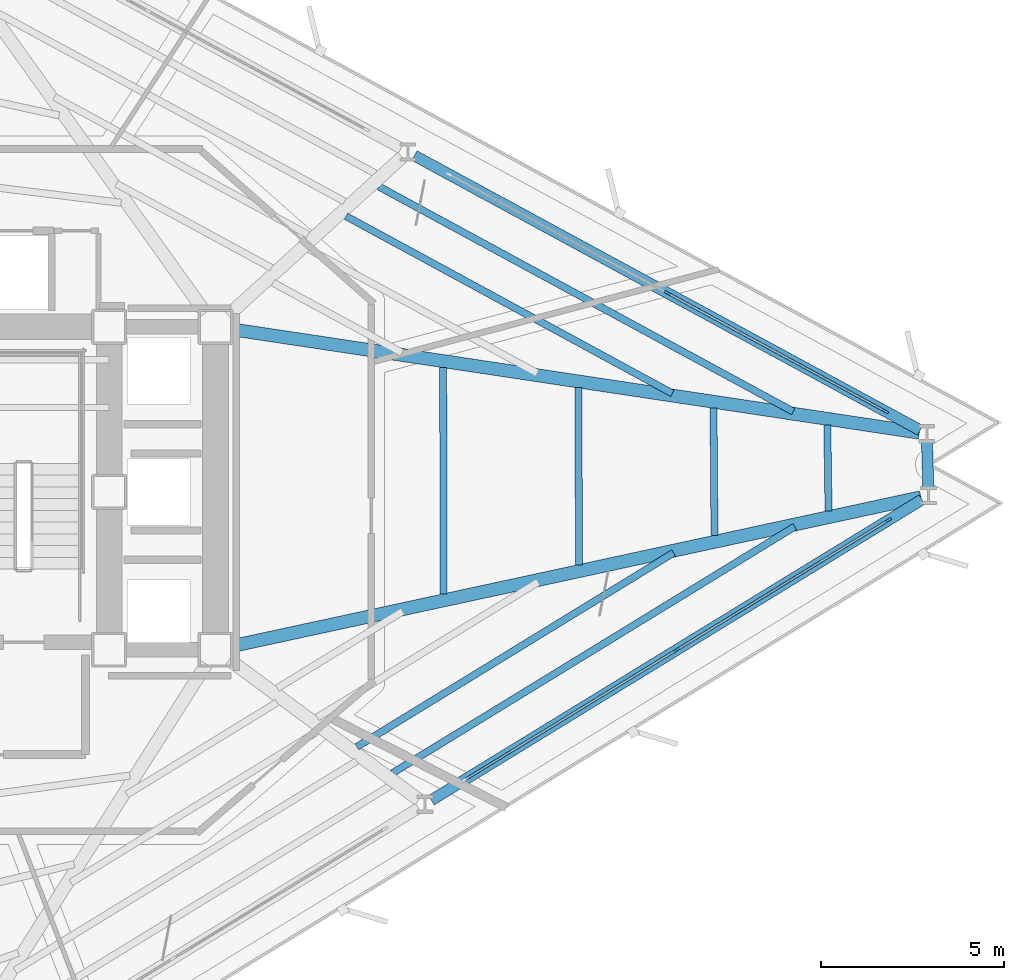
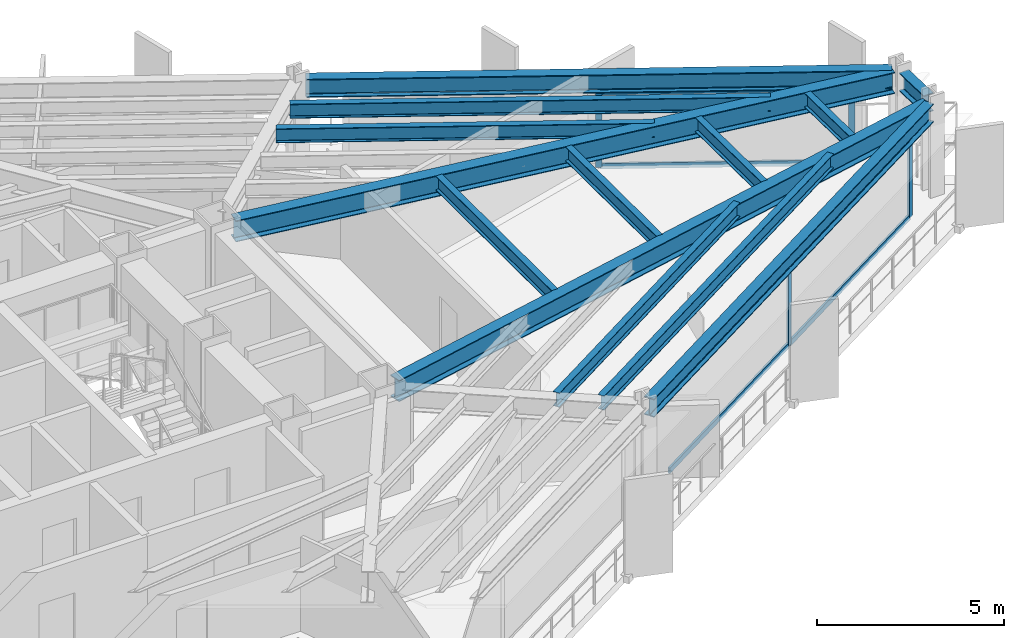
# One storey, part 4 of 14: 13 beams, 10 members, 2 elements without a shape of their own.
"""IFC4 building model written with IfcOpenShell, lengths in metres."""

from ifc_helpers import new_model, si_unit, direction, frame, origin, origin_2d, place, context, subcontext, project, spatial, rectangle, i_section, extrude, material, layer, layer_set, material_profile, profile_set, type_object, element, aggregate, save


model = new_model("IFC4")

# Units and contexts
model_context = context("Model", 3, precision=1e-05, world=origin(), true_north=direction((0.0, 1.0)))
body_context = subcontext(model_context, "Body", "Model", "MODEL_VIEW")
ifc_project = project(units=[si_unit("LENGTHUNIT", "METRE"), si_unit("AREAUNIT", "SQUARE_METRE"), si_unit("VOLUMEUNIT", "CUBIC_METRE"), si_unit("PLANEANGLEUNIT", "RADIAN"), si_unit("MASSUNIT", "GRAM", prefix="KILO")], contexts=[model_context])

# Site, building, storey
site_placement = place(None, origin())
site = spatial("IfcSite", under=ifc_project, at=site_placement, CompositionType="ELEMENT")
building_placement = place(site_placement, origin())
building = spatial("IfcBuilding", under=site, at=building_placement, Name="Rocaltana Carrier Exchange", CompositionType="ELEMENT")
storey_placement = place(building_placement, frame((0.0, 0.0, 28.9599609375)))
storey = spatial("IfcBuildingStorey", under=building, at=storey_placement, Name="L09", CompositionType="ELEMENT", Elevation=28.9599609375)

# Curtain wall, members
ifc_material_1 = material(Name="Aluminium 6063-T6", Category="aluminium")
ifc_layer = layer(ifc_material_1, 0.179931640625)
ifc_layer_set = layer_set([ifc_layer], Name="Aluminium 6063-T6")
curtain_wall_type = type_object("IfcCurtainWallType", Name="Sandstone Spandrel Unitised Curtain Wall CW-01", PredefinedType="NOTDEFINED", material=ifc_layer_set)
curtain_wall_1_placement = place(storey_placement, origin())
curtain_wall_1 = element("IfcCurtainWall", 1, at=curtain_wall_1_placement, inside=storey, type_object=curtain_wall_type, Name="L09 CW-01 Run CW-L09-F1S1", PredefinedType="NOTDEFINED")
ifc_material_2 = material(Name="Aluminium 6063-T6", Category="aluminium")
ifc_material_profile_1 = material_profile(ifc_material_2, rectangle(XDim=0.06494140625, YDim=0.179931640625, at=origin_2d()), Name="AL-65X180")
ifc_profile_set_1 = profile_set([ifc_material_profile_1], Name="Aluminium 6063-T6")
member_type_1 = type_object("IfcMemberType", Name="CW-01 Mullion AL-65X180", PredefinedType="MULLION", material=ifc_profile_set_1)
member_1_placement = place(storey_placement, frame((27.213623046875, 2.19677734375, 0.0), z_axis=(0.0, 0.0, 1.0), x_axis=(-0.477161473226, -0.878815639636, 0.0)))
member_1 = element("IfcMember", 2, at=member_1_placement, type_object=member_type_1, Name="CW-01 mullion 1", PredefinedType="MULLION", context=body_context, shape_type="SweptSolid", body=[
    extrude(rectangle(XDim=0.06494140625, YDim=0.179931640625, at=origin_2d()), origin(), (0.0, 0.0, 1.0), 2.47802734375),
])
member_2_placement = place(storey_placement, frame((21.26611328125, 5.426025390625, 0.0), z_axis=(0.0, 0.0, 1.0), x_axis=(-0.477161473226, -0.878815639636, 0.0)))
member_2 = element("IfcMember", 3, at=member_2_placement, type_object=member_type_1, Name="CW-01 mullion 2", PredefinedType="MULLION", context=body_context, shape_type="SweptSolid", body=[
    extrude(rectangle(XDim=0.06494140625, YDim=0.179931640625, at=origin_2d()), origin(), (0.0, 0.0, 1.0), 2.47802734375),
])

curtain_wall_2_placement = place(storey_placement, origin())
curtain_wall_2 = element("IfcCurtainWall", 4, at=curtain_wall_2_placement, inside=storey, type_object=curtain_wall_type, Name="L09 CW-01 Run CW-L09-F3S3", PredefinedType="NOTDEFINED")
member_3_placement = place(storey_placement, frame((21.52099609375, -4.3056640625, 0.0), z_axis=(0.0, 0.0, 1.0), x_axis=(-0.522499812415, 0.852639399762, 0.0)))
member_3 = element("IfcMember", 5, at=member_3_placement, type_object=member_type_1, Name="CW-01 mullion 2", PredefinedType="MULLION", context=body_context, shape_type="SweptSolid", body=[
    extrude(rectangle(XDim=0.06494140625, YDim=0.179931640625, at=origin_2d()), origin(), (0.0, 0.0, 1.0), 2.47802734375),
])
member_4_placement = place(storey_placement, frame((27.291259765625, -0.76953125, 0.0), z_axis=(0.0, 0.0, 1.0), x_axis=(-0.522499812415, 0.852639399762, 0.0)))
member_4 = element("IfcMember", 6, at=member_4_placement, type_object=member_type_1, Name="CW-01 mullion 3", PredefinedType="MULLION", context=body_context, shape_type="SweptSolid", body=[
    extrude(rectangle(XDim=0.06494140625, YDim=0.179931640625, at=origin_2d()), origin(), (0.0, 0.0, 1.0), 2.47802734375),
])

# Member
ifc_material_3 = material(Name="Aluminium 6063-T6", Category="aluminium")
ifc_material_profile_2 = material_profile(ifc_material_3, rectangle(XDim=0.06494140625, YDim=0.179931640625, at=origin_2d()), Name="AL-65X180")
ifc_profile_set_2 = profile_set([ifc_material_profile_2], Name="Aluminium 6063-T6")
member_type_2 = type_object("IfcMemberType", Name="CW-01 Transom AL-65X180", PredefinedType="USERDEFINED", material=ifc_profile_set_2)
member_5_placement = place(storey_placement, frame((27.18505859375, 2.21240234375, 0.032470703125), z_axis=(-0.878830739565, 0.477133661772, 0.0), x_axis=(-0.477133661772, -0.878830739565, 0.0)))
member_5 = element("IfcMember", 7, at=member_5_placement, type_object=member_type_2, Name="CW-01 transom 1.1", ObjectType="TRANSOM", PredefinedType="USERDEFINED", context=body_context, shape_type="SweptSolid", body=[
    extrude(rectangle(XDim=0.06494140625, YDim=0.179931640625, at=origin_2d()), origin(), (0.0, 0.0, 1.0), 6.70263671875),
])

member_6_placement = place(storey_placement, frame((27.18505859375, 2.21240234375, 2.445556640625), z_axis=(-0.878830739565, 0.477133661772, 0.0), x_axis=(-0.477133661772, -0.878830739565, 0.0)))
member_6 = element("IfcMember", 8, at=member_6_placement, type_object=member_type_2, Name="CW-01 transom 1.2", ObjectType="TRANSOM", PredefinedType="USERDEFINED", context=body_context, shape_type="SweptSolid", body=[
    extrude(rectangle(XDim=0.06494140625, YDim=0.179931640625, at=origin_2d()), origin(), (0.0, 0.0, 1.0), 6.70263671875),
])

aggregate(curtain_wall_1, [member_1, member_2, member_5, member_6])

member_7_placement = place(storey_placement, frame((15.7783203125, -7.82470703125, 0.032470703125), z_axis=(0.85263109068, 0.522513371318, 0.0), x_axis=(-0.522513371318, 0.85263109068, 0.0)))
member_7 = element("IfcMember", 9, at=member_7_placement, type_object=member_type_2, Name="CW-01 transom 1.1", ObjectType="TRANSOM", PredefinedType="USERDEFINED", context=body_context, shape_type="SweptSolid", body=[
    extrude(rectangle(XDim=0.06494140625, YDim=0.179931640625, at=origin_2d()), origin(), (0.0, 0.0, 1.0), 6.70263671875),
])

member_8_placement = place(storey_placement, frame((15.7783203125, -7.82470703125, 2.445556640625), z_axis=(0.85263109068, 0.522513371318, 0.0), x_axis=(-0.522513371318, 0.85263109068, 0.0)))
member_8 = element("IfcMember", 10, at=member_8_placement, type_object=member_type_2, Name="CW-01 transom 1.2", ObjectType="TRANSOM", PredefinedType="USERDEFINED", context=body_context, shape_type="SweptSolid", body=[
    extrude(rectangle(XDim=0.06494140625, YDim=0.179931640625, at=origin_2d()), origin(), (0.0, 0.0, 1.0), 6.70263671875),
])

member_9_placement = place(storey_placement, frame((21.548583984375, -4.28857421875, 0.032470703125), z_axis=(0.85264731822, 0.522486890488, 0.0), x_axis=(-0.522486890488, 0.85264731822, 0.0)))
member_9 = element("IfcMember", 11, at=member_9_placement, type_object=member_type_2, Name="CW-01 transom 2.1", ObjectType="TRANSOM", PredefinedType="USERDEFINED", context=body_context, shape_type="SweptSolid", body=[
    extrude(rectangle(XDim=0.06494140625, YDim=0.179931640625, at=origin_2d()), origin(), (0.0, 0.0, 1.0), 6.702392578125),
])

member_10_placement = place(storey_placement, frame((21.548583984375, -4.28857421875, 2.445556640625), z_axis=(0.85264731822, 0.522486890488, 0.0), x_axis=(-0.522486890488, 0.85264731822, 0.0)))
member_10 = element("IfcMember", 12, at=member_10_placement, type_object=member_type_2, Name="CW-01 transom 2.2", ObjectType="TRANSOM", PredefinedType="USERDEFINED", context=body_context, shape_type="SweptSolid", body=[
    extrude(rectangle(XDim=0.06494140625, YDim=0.179931640625, at=origin_2d()), origin(), (0.0, 0.0, 1.0), 6.702392578125),
])

aggregate(curtain_wall_2, [member_3, member_4, member_7, member_8, member_9, member_10])

# Beams
ifc_material_4 = material(Name="Steel S355", Category="steel")
ifc_material_profile_3 = material_profile(ifc_material_4, i_section(OverallWidth=0.193115234375, OverallDepth=0.466064453125, WebThickness=0.011474609375, FlangeThickness=0.01904296875, FilletRadius=0.013916015625, at=origin_2d()), Name="W18X65")
ifc_profile_set_3 = profile_set([ifc_material_profile_3], Name="Steel S355")
beam_type_1 = type_object("IfcBeamType", Name="Floor Joist W18X65", PredefinedType="JOIST", material=ifc_profile_set_3)
beam_1_placement = place(storey_placement, frame((21.4033203125, 2.68701171875, 2.864990234375), z_axis=(-0.878818466662, 0.477156266494, 0.0), x_axis=(-0.477156266494, -0.878818466662, 0.0)))
element("IfcBeam", 13, at=beam_1_placement, inside=storey, type_object=beam_type_1, Name="FJ-L09-01-3", PredefinedType="JOIST", context=body_context, shape_type="SweptSolid", body=[
    extrude(i_section(OverallWidth=0.193115234375, OverallDepth=0.466064453125, WebThickness=0.011474609375, FlangeThickness=0.01904296875, FilletRadius=0.013916015625, at=origin_2d()), origin(), (0.0, 0.0, 1.0), 10.1220703125),
])
beam_2_placement = place(storey_placement, frame((24.69970703125, 2.19140625, 2.864990234375), z_axis=(-0.878819767198, 0.477153871181, 0.0), x_axis=(-0.477153871181, -0.878819767198, 0.0)))
element("IfcBeam", 14, at=beam_2_placement, inside=storey, type_object=beam_type_1, Name="FJ-L09-01-4", PredefinedType="JOIST", context=body_context, shape_type="SweptSolid", body=[
    extrude(i_section(OverallWidth=0.193115234375, OverallDepth=0.466064453125, WebThickness=0.011474609375, FlangeThickness=0.01904296875, FilletRadius=0.013916015625, at=origin_2d()), origin(), (0.0, 0.0, 1.0), 12.859130859375),
])
beam_3_placement = place(storey_placement, frame((12.805908203125, -6.947998046875, 2.864990234375), z_axis=(0.852634876053, 0.522507194341, 0.0), x_axis=(-0.522507194341, 0.852634876053, 0.0)))
element("IfcBeam", 15, at=beam_3_placement, inside=storey, type_object=beam_type_1, Name="FJ-L09-11-3", PredefinedType="JOIST", context=body_context, shape_type="SweptSolid", body=[
    extrude(i_section(OverallWidth=0.193115234375, OverallDepth=0.466064453125, WebThickness=0.011474609375, FlangeThickness=0.01904296875, FilletRadius=0.013916015625, at=origin_2d()), origin(), (0.0, 0.0, 1.0), 10.1220703125),
])
beam_4_placement = place(storey_placement, frame((13.776123046875, -7.6640625, 2.864990234375), z_axis=(0.852642453123, 0.522494829766, 0.0), x_axis=(-0.522494829766, 0.852642453123, 0.0)))
element("IfcBeam", 16, at=beam_4_placement, inside=storey, type_object=beam_type_1, Name="FJ-L09-11-4", PredefinedType="JOIST", context=body_context, shape_type="SweptSolid", body=[
    extrude(i_section(OverallWidth=0.193115234375, OverallDepth=0.466064453125, WebThickness=0.011474609375, FlangeThickness=0.01904296875, FilletRadius=0.013916015625, at=origin_2d()), origin(), (0.0, 0.0, 1.0), 12.85888671875),
])
beam_5_placement = place(storey_placement, frame((15.168701171875, -2.7841796875, 2.864990234375), z_axis=(-0.00213328634, 0.999997724542, 0.0), x_axis=(-0.999997724542, -0.00213328634, 0.0)))
element("IfcBeam", 17, at=beam_5_placement, inside=storey, type_object=beam_type_1, Name="FJ-L09-12-1", PredefinedType="JOIST", context=body_context, shape_type="SweptSolid", body=[
    extrude(i_section(OverallWidth=0.193115234375, OverallDepth=0.466064453125, WebThickness=0.011474609375, FlangeThickness=0.01904296875, FilletRadius=0.013916015625, at=origin_2d()), origin(), (0.0, 0.0, 1.0), 6.179931640625),
])
beam_6_placement = place(storey_placement, frame((18.861083984375, -1.986083984375, 2.864990234375), z_axis=(-0.004348884286, 0.999990543558, 0.0), x_axis=(-0.999990543558, -0.004348884286, 0.0)))
element("IfcBeam", 18, at=beam_6_placement, inside=storey, type_object=beam_type_1, Name="FJ-L09-12-2", PredefinedType="JOIST", context=body_context, shape_type="SweptSolid", body=[
    extrude(i_section(OverallWidth=0.193115234375, OverallDepth=0.466064453125, WebThickness=0.011474609375, FlangeThickness=0.01904296875, FilletRadius=0.013916015625, at=origin_2d()), origin(), (0.0, 0.0, 1.0), 4.827880859375),
])
beam_7_placement = place(storey_placement, frame((22.552978515625, -1.188232421875, 2.864990234375), z_axis=(-0.008076713655, 0.999967382816, 0.0), x_axis=(-0.999967382816, -0.008076713655, 0.0)))
element("IfcBeam", 19, at=beam_7_placement, inside=storey, type_object=beam_type_1, Name="FJ-L09-12-3", PredefinedType="JOIST", context=body_context, shape_type="SweptSolid", body=[
    extrude(i_section(OverallWidth=0.193115234375, OverallDepth=0.466064453125, WebThickness=0.011474609375, FlangeThickness=0.01904296875, FilletRadius=0.013916015625, at=origin_2d()), origin(), (0.0, 0.0, 1.0), 3.47607421875),
])
beam_8_placement = place(storey_placement, frame((25.661376953125, -0.51611328125, 2.864990234375), z_axis=(-0.014097815542, 0.99990062086, 0.0), x_axis=(-0.99990062086, -0.014097815542, 0.0)))
element("IfcBeam", 20, at=beam_8_placement, inside=storey, type_object=beam_type_1, Name="FJ-L09-12-4", PredefinedType="JOIST", context=body_context, shape_type="SweptSolid", body=[
    extrude(i_section(OverallWidth=0.193115234375, OverallDepth=0.466064453125, WebThickness=0.011474609375, FlangeThickness=0.01904296875, FilletRadius=0.013916015625, at=origin_2d()), origin(), (0.0, 0.0, 1.0), 2.337890625),
])
ifc_material_5 = material(Name="Steel S355", Category="steel")
ifc_material_profile_4 = material_profile(ifc_material_5, i_section(OverallWidth=0.35498046875, OverallDepth=0.695068359375, WebThickness=0.015380859375, FlangeThickness=0.02490234375, FilletRadius=0.01806640625, at=origin_2d()), Name="W27X146")
ifc_profile_set_4 = profile_set([ifc_material_profile_4], Name="Steel S355")
beam_type_2 = type_object("IfcBeamType", Name="Radial Girder W27X146", PredefinedType="BEAM", material=ifc_profile_set_4)
beam_9_placement = place(storey_placement, frame((9.411865234375, 4.4306640625, 2.75048828125), z_axis=(0.988886168287, -0.148674631899, 0.0), x_axis=(0.148674631899, 0.988886168287, 0.0)))
element("IfcBeam", 21, at=beam_9_placement, inside=storey, type_object=beam_type_2, Name="RG-L09-01", PredefinedType="BEAM", context=body_context, shape_type="SweptSolid", body=[
    extrude(i_section(OverallWidth=0.35498046875, OverallDepth=0.695068359375, WebThickness=0.015380859375, FlangeThickness=0.02490234375, FilletRadius=0.01806640625, at=origin_2d()), origin(), (0.0, 0.0, 1.0), 18.93359375),
])
beam_10_placement = place(storey_placement, frame((9.406494140625, -4.201416015625, 2.75048828125), z_axis=(0.977428496371, 0.211266501088, 0.0), x_axis=(-0.211266501088, 0.977428496371, 0.0)))
element("IfcBeam", 22, at=beam_10_placement, inside=storey, type_object=beam_type_2, Name="RG-L09-12", PredefinedType="BEAM", context=body_context, shape_type="SweptSolid", body=[
    extrude(i_section(OverallWidth=0.35498046875, OverallDepth=0.695068359375, WebThickness=0.015380859375, FlangeThickness=0.02490234375, FilletRadius=0.01806640625, at=origin_2d()), origin(), (0.0, 0.0, 1.0), 19.20849609375),
])
ifc_material_6 = material(Name="Steel S355", Category="steel")
ifc_material_profile_5 = material_profile(ifc_material_6, i_section(OverallWidth=0.300048828125, OverallDepth=0.60009765625, WebThickness=0.015380859375, FlangeThickness=0.030029296875, FilletRadius=0.027099609375, at=origin_2d()), Name="HEB600")
ifc_profile_set_5 = profile_set([ifc_material_profile_5], Name="Steel S355")
beam_type_3 = type_object("IfcBeamType", Name="Spandrel Edge Beam HEB600", PredefinedType="SPANDREL", material=ifc_profile_set_5)
beam_11_placement = place(storey_placement, frame((28.15771484375, 1.68408203125, 2.798095703125), z_axis=(-0.8788112834, 0.477169496269, 0.0), x_axis=(-0.477169496269, -0.8788112834, 0.0)))
element("IfcBeam", 23, at=beam_11_placement, inside=storey, type_object=beam_type_3, Name="SP-L09-01", PredefinedType="SPANDREL", context=body_context, shape_type="SweptSolid", body=[
    extrude(i_section(OverallWidth=0.300048828125, OverallDepth=0.60009765625, WebThickness=0.015380859375, FlangeThickness=0.030029296875, FilletRadius=0.027099609375, at=origin_2d()), origin(), (0.0, 0.0, 1.0), 15.683837890625),
])
beam_12_placement = place(storey_placement, frame((14.83447265625, -8.403076171875, 2.798095703125), z_axis=(0.852645545454, 0.522489783458, 0.0), x_axis=(-0.522489783458, 0.852645545454, 0.0)))
element("IfcBeam", 24, at=beam_12_placement, inside=storey, type_object=beam_type_3, Name="SP-L09-11", PredefinedType="SPANDREL", context=body_context, shape_type="SweptSolid", body=[
    extrude(i_section(OverallWidth=0.300048828125, OverallDepth=0.60009765625, WebThickness=0.015380859375, FlangeThickness=0.030029296875, FilletRadius=0.027099609375, at=origin_2d()), origin(), (0.0, 0.0, 1.0), 15.68408203125),
])
beam_13_placement = place(storey_placement, frame((28.37939453125, 0.1083984375, 2.798095703125), z_axis=(-0.026357275668, 0.999652586662, 0.0), x_axis=(-0.999652586662, -0.026357275668, 0.0)))
element("IfcBeam", 25, at=beam_13_placement, inside=storey, type_object=beam_type_3, Name="SP-L09-12", PredefinedType="SPANDREL", context=body_context, shape_type="SweptSolid", body=[
    extrude(i_section(OverallWidth=0.300048828125, OverallDepth=0.60009765625, WebThickness=0.015380859375, FlangeThickness=0.030029296875, FilletRadius=0.027099609375, at=origin_2d()), origin(), (0.0, 0.0, 1.0), 1.26904296875),
])

save(model, "model.ifc")
